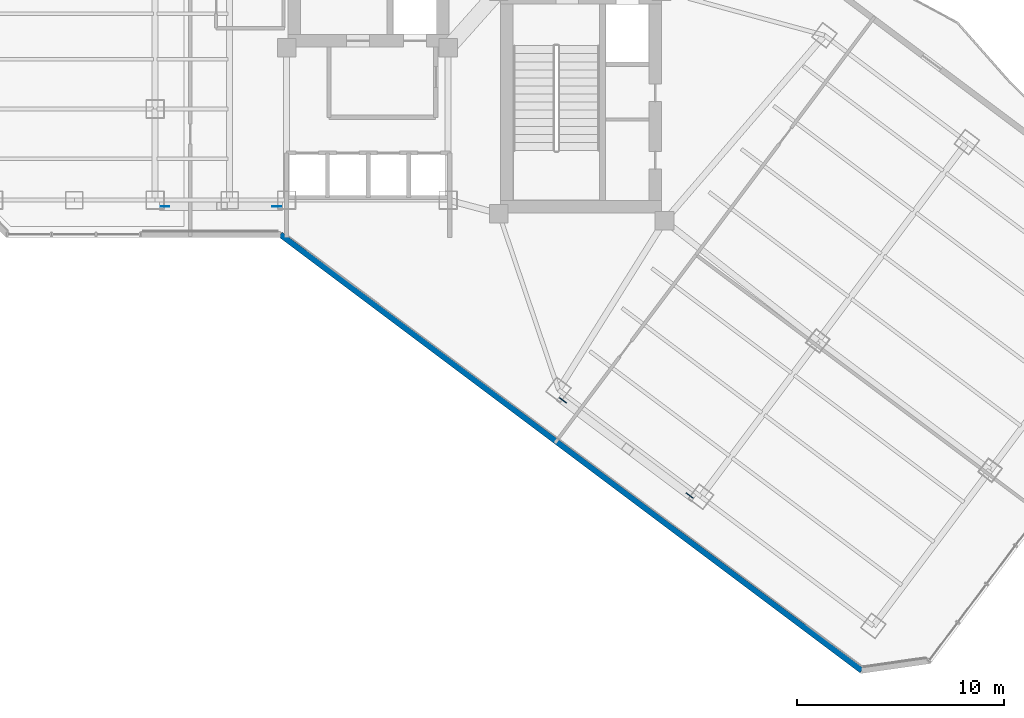
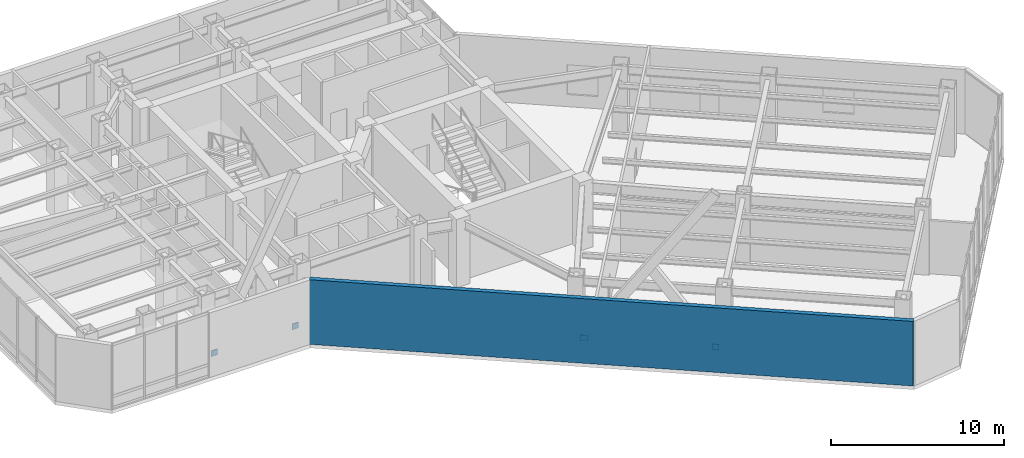
# One storey, part 19 of 27: 4 plates, 1 wall.
"""IFC4 building model written with IfcOpenShell, lengths in metres."""

from ifc_helpers import new_model, si_unit, direction, frame, frame_2d, origin, origin_2d, place, context, subcontext, project, spatial, rectangle, extrude, material, layer, layer_set, type_object, element, save


model = new_model("IFC4")

# Units and contexts
model_context = context("Model", 3, precision=1e-05, world=origin(), true_north=direction((0.0, 1.0)))
body_context = subcontext(model_context, "Body", "Model", "MODEL_VIEW")
ifc_project = project(units=[si_unit("LENGTHUNIT", "METRE"), si_unit("AREAUNIT", "SQUARE_METRE"), si_unit("VOLUMEUNIT", "CUBIC_METRE"), si_unit("PLANEANGLEUNIT", "RADIAN"), si_unit("MASSUNIT", "GRAM", prefix="KILO")], contexts=[model_context])

# Site, building, storey
site_placement = place(None, origin())
site = spatial("IfcSite", under=ifc_project, at=site_placement, CompositionType="ELEMENT")
building_placement = place(site_placement, origin())
building = spatial("IfcBuilding", under=site, at=building_placement, Name="Hatsunagi Terrace Concourse", CompositionType="ELEMENT")
storey_placement = place(building_placement, frame((0.0, 0.0, 96.449951171875)))
storey = spatial("IfcBuildingStorey", under=building, at=storey_placement, Name="L25", CompositionType="ELEMENT", Elevation=96.449951171875)

# Plates
ifc_material_1 = material(Name="Steel SN490C", Category="steel")
ifc_layer_1 = layer(ifc_material_1, 0.031982421875)
ifc_layer_set_1 = layer_set([ifc_layer_1], Name="XBraceNodeCapPlate_32")
plate_type = type_object("IfcPlateType", Name="XBraceNodeCapPlate_32", PredefinedType="USERDEFINED", material=ifc_layer_set_1)
for number, where, z_axis, x_axis, name in (
    (1, (19.675048828125, 24.89990234375, 0.22998046875), (0.0, 0.0, 1.0), (1.0, 0.0, 0.0), "Cast-In Core and Node Embed Plate GP-02 EP-XB-L25-W1-AB"),
    (2, (25.074951171875, 24.89990234375, 0.22998046875), (0.0, 0.0, 1.0), (1.0, 0.0, 0.0), "Cast-In Core and Node Embed Plate GP-02 EP-XB-L25-W1-BB"),
    (3, (38.89208984375, 15.531005859375, 0.22998046875), (0.0, 0.0, 1.0), (0.799999996291, -0.600000004945, 0.0), "Cast-In Core and Node Embed Plate GP-02 EP-XB-L25-SE-AB"),
    (4, (45.011962890625, 10.94091796875, 0.22998046875), (0.0, 0.0, 1.0), (0.799999996291, -0.600000004945, 0.0), "Cast-In Core and Node Embed Plate GP-02 EP-XB-L25-SE-BB"),
):
    element("IfcPlate", number, at=place(storey_placement, frame(where, z_axis=z_axis, x_axis=x_axis)), inside=storey, type_object=plate_type, Name=name, ObjectType="GUSSET_PLATE", PredefinedType="USERDEFINED", context=body_context, shape_type="SweptSolid", body=[
        extrude(rectangle(XDim=0.419921875, YDim=0.031982421875, at=origin_2d()), origin(), (0.0, 0.0, 1.0), 0.419921875),
    ])

# Wall
ifc_material_2 = material(Name="Autoclaved Lightweight Concrete and Terracotta Cladding", Category="masonry")
ifc_layer_2 = layer(ifc_material_2, 0.280029296875)
ifc_layer_set_2 = layer_set([ifc_layer_2], Name="TerracottaSpandrelWall_280")
wall_type = type_object("IfcWallType", Name="TerracottaSpandrelWall_280", PredefinedType="STANDARD", material=ifc_layer_set_2)
wall_placement = place(storey_placement, frame((53.318115234375, 2.487060546875, 0.0), z_axis=(0.0, 0.0, 1.0), x_axis=(-0.800004174678, 0.599994433723, 0.0)))
element("IfcWall", 5, at=wall_placement, inside=storey, type_object=wall_type, Name="Exterior Spandrel Wall EW-L25-05", PredefinedType="STANDARD", context=body_context, shape_type="SweptSolid", body=[
    extrude(rectangle(XDim=35.088623046875, YDim=0.280029296875, at=frame_2d((17.54443359375, 0.0))), origin(), (0.0, 0.0, 1.0), 4.550048828125),
])

save(model, "model.ifc")
